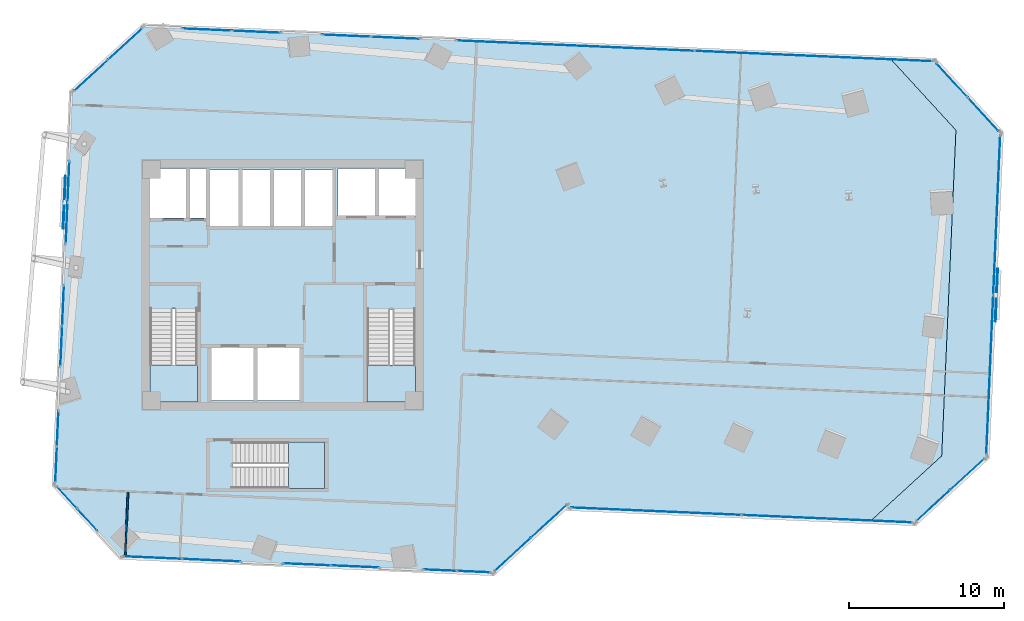
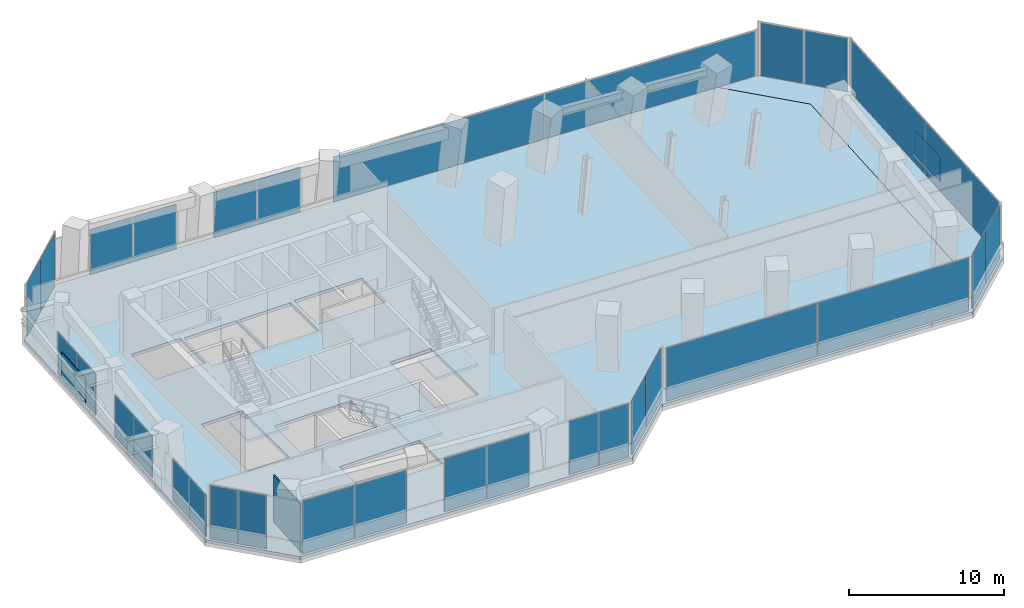
# One storey, part 21 of 26: 34 plates, 5 slabs, 1 wall, 19 elements without a shape of their own.
"""IFC4 building model written with IfcOpenShell, lengths in metres."""

from ifc_helpers import new_model, si_unit, direction, frame, frame_2d, origin, origin_2d, place, context, subcontext, project, spatial, polyline, rectangle, outline, extrude, source, transform, mapped, material, layer, layer_set, type_object, element, aggregate, save


model = new_model("IFC4")

# Units and contexts
model_context = context("Model", 3, precision=1e-05, world=origin(), true_north=direction((0.0, 1.0)))
body_context = subcontext(model_context, "Body", "Model", "MODEL_VIEW")
ifc_project = project(units=[si_unit("LENGTHUNIT", "METRE"), si_unit("AREAUNIT", "SQUARE_METRE"), si_unit("VOLUMEUNIT", "CUBIC_METRE"), si_unit("PLANEANGLEUNIT", "RADIAN"), si_unit("MASSUNIT", "GRAM", prefix="KILO")], contexts=[model_context])

# Site, building, storey
site_placement = place(None, origin())
site = spatial("IfcSite", under=ifc_project, at=site_placement, CompositionType="ELEMENT")
building_placement = place(site_placement, origin())
building = spatial("IfcBuilding", under=site, at=building_placement, Name="Torre Montelarca", CompositionType="ELEMENT")
storey_placement = place(building_placement, frame((0.0, 0.0, 42.39990234375)))
storey = spatial("IfcBuildingStorey", under=building, at=storey_placement, Name="L09", CompositionType="ELEMENT", Elevation=42.39990234375)

# Slabs
ifc_material_1 = material(Name="Concrete C40/50", Category="concrete")
ifc_layer_1 = layer(ifc_material_1, 0.239990234375, Name="Concrete C40/50", Category="concrete")
ifc_layer_set_1 = layer_set([ifc_layer_1], Name="Concrete C40/50")
slab_type_1 = type_object("IfcSlabType", Name="SL-FLR-240", PredefinedType="FLOOR", material=ifc_layer_set_1)
slab_1_placement = place(storey_placement, frame((0.0, 0.0, -0.239990234375)))
element("IfcSlab", 1, at=slab_1_placement, inside=storey, type_object=slab_type_1, Name="L09 Structural Floor Slab", PredefinedType="FLOOR", context=body_context, shape_type="SweptSolid", body=[
    extrude(outline(polyline([(31.595703125, 13.341796875), (36.287841796875, 17.641357421875), (36.283447265625, 17.54150390625), (55.764892578125, 16.69091796875), (60.456787109375, 20.990234375), (61.372802734375, 41.97021484375), (57.073486328125, 46.662353515625), (9.019287109375, 48.760498046875), (4.3271484375, 44.4609375), (3.21923828125, 19.085205078125), (7.518798828125, 14.39306640625), (31.595703125, 13.341796875)]), holes=[polyline([(20.699951171875, 18.89990234375), (14.760009765625, 18.89990234375), (14.760009765625, 21.889892578125), (20.699951171875, 21.889892578125), (20.699951171875, 18.89990234375)]), polyline([(19.10009765625, 24.550048828125), (13.39990234375, 24.550048828125), (13.39990234375, 27.949951171875), (19.10009765625, 27.949951171875), (19.10009765625, 24.550048828125)]), polyline([(23.43994140625, 24.449951171875), (23.43994140625, 30.429931640625), (26.550048828125, 30.429931640625), (26.550048828125, 24.449951171875), (23.43994140625, 24.449951171875)]), polyline([(9.449951171875, 24.449951171875), (9.449951171875, 30.4599609375), (12.5, 30.4599609375), (12.5, 24.449951171875), (9.449951171875, 24.449951171875)]), polyline([(17.25, 35.800048828125), (13.300048828125, 35.800048828125), (13.300048828125, 39.39990234375), (17.25, 39.39990234375), (17.25, 35.800048828125)]), polyline([(21.25, 35.800048828125), (17.39990234375, 35.800048828125), (17.39990234375, 39.39990234375), (21.25, 39.39990234375), (21.25, 35.800048828125)]), polyline([(13.1201171875, 36.300048828125), (9.449951171875, 36.300048828125), (9.449951171875, 39.5), (13.1201171875, 39.5), (13.1201171875, 36.300048828125)]), polyline([(26.60009765625, 36.449951171875), (21.550048828125, 36.449951171875), (21.550048828125, 39.5), (26.60009765625, 39.5), (26.60009765625, 36.449951171875)])]), origin(), (0.0, 0.0, 1.0), 0.239990234375),
])
slab_2_placement = place(storey_placement, frame((0.0, 0.0, -0.239990234375)))
element("IfcSlab", 2, at=slab_2_placement, inside=storey, type_object=slab_type_1, Name="L09 Sliding Tray Winter Garden Floor Slab E1", PredefinedType="FLOOR", context=body_context, shape_type="SweptSolid", body=[
    extrude(outline(polyline([(57.073486328125, 46.662353515625), (61.372802734375, 41.97021484375), (60.456787109375, 20.990234375), (55.764892578125, 16.69091796875), (58.761962890625, 16.56005859375), (63.4541015625, 20.859375), (64.3701171875, 41.83935546875), (60.070556640625, 46.531494140625), (57.073486328125, 46.662353515625)])), origin(), (0.0, 0.0, 1.0), 0.239990234375),
])

# Stair, slab
stair_type_1 = type_object("IfcStairType", Name="ST-CORE-ST1", PredefinedType="HALF_TURN_STAIR", material=ifc_material_1)
stair_1_placement = place(storey_placement, origin())
stair_1 = element("IfcStair", 3, at=stair_1_placement, inside=storey, type_object=stair_type_1, Name="L09 Protected Exit Stair ST1", PredefinedType="HALF_TURN_STAIR")
ifc_layer_2 = layer(ifc_material_1, 0.199951171875, Name="Concrete C40/50", Category="concrete")
ifc_layer_set_2 = layer_set([ifc_layer_2], Name="Concrete C40/50")
slab_type_2 = type_object("IfcSlabType", Name="SL-ST-LAND-ST1", PredefinedType="LANDING", material=ifc_layer_set_2)
slab_3_placement = place(storey_placement, frame((0.0, 0.0, 2.2001953125)))
slab_3 = element("IfcSlab", 4, at=slab_3_placement, type_object=slab_type_2, Name="ST1 landing 1", PredefinedType="LANDING", context=body_context, shape_type="SweptSolid", body=[
    extrude(outline(polyline([(9.449951171875, 26.860107421875), (9.449951171875, 24.449951171875), (12.5, 24.449951171875), (12.5, 26.860107421875), (9.449951171875, 26.860107421875)])), origin(), (0.0, 0.0, 1.0), 0.199951171875),
])
aggregate(stair_1, [slab_3])

stair_type_2 = type_object("IfcStairType", Name="ST-CORE-ST2", PredefinedType="HALF_TURN_STAIR", material=ifc_material_1)
stair_2_placement = place(storey_placement, origin())
stair_2 = element("IfcStair", 5, at=stair_2_placement, inside=storey, type_object=stair_type_2, Name="L09 Protected Exit Stair ST2", PredefinedType="HALF_TURN_STAIR")
ifc_layer_3 = layer(ifc_material_1, 0.199951171875, Name="Concrete C40/50", Category="concrete")
ifc_layer_set_3 = layer_set([ifc_layer_3], Name="Concrete C40/50")
slab_type_3 = type_object("IfcSlabType", Name="SL-ST-LAND-ST2", PredefinedType="LANDING", material=ifc_layer_set_3)
slab_4_placement = place(storey_placement, frame((0.0, 0.0, 2.2001953125)))
slab_4 = element("IfcSlab", 6, at=slab_4_placement, type_object=slab_type_3, Name="ST2 landing 1", PredefinedType="LANDING", context=body_context, shape_type="SweptSolid", body=[
    extrude(outline(polyline([(23.43994140625, 26.830078125), (23.43994140625, 24.449951171875), (26.550048828125, 24.449951171875), (26.550048828125, 26.830078125), (23.43994140625, 26.830078125)])), origin(), (0.0, 0.0, 1.0), 0.199951171875),
])
aggregate(stair_2, [slab_4])

stair_type_3 = type_object("IfcStairType", Name="ST-CORE-ST3", PredefinedType="HALF_TURN_STAIR", material=ifc_material_1)
stair_3_placement = place(storey_placement, origin())
stair_3 = element("IfcStair", 7, at=stair_3_placement, inside=storey, type_object=stair_type_3, Name="L09 Low-Rise Exit Stair ST3", PredefinedType="HALF_TURN_STAIR")
ifc_layer_4 = layer(ifc_material_1, 0.199951171875, Name="Concrete C40/50", Category="concrete")
ifc_layer_set_4 = layer_set([ifc_layer_4], Name="Concrete C40/50")
slab_type_4 = type_object("IfcSlabType", Name="SL-ST-LAND-ST3", PredefinedType="LANDING", material=ifc_layer_set_4)
slab_5_placement = place(storey_placement, frame((0.0, 0.0, 2.2001953125)))
slab_5 = element("IfcSlab", 8, at=slab_5_placement, type_object=slab_type_4, Name="ST3 landing 1", PredefinedType="LANDING", context=body_context, shape_type="SweptSolid", body=[
    extrude(outline(polyline([(18.360107421875, 18.89990234375), (20.699951171875, 18.89990234375), (20.699951171875, 21.889892578125), (18.360107421875, 21.889892578125), (18.360107421875, 18.89990234375)])), origin(), (0.0, 0.0, 1.0), 0.199951171875),
])
aggregate(stair_3, [slab_5])

# Curtain wall, plates
ifc_material_2 = material(Name="Insulated low-E laminated glass", Category="glass")
curtain_wall_type = type_object("IfcCurtainWallType", Name="CW-SYS-Z1", PredefinedType="USERDEFINED", material=ifc_material_2)
curtain_wall_1_placement = place(storey_placement, origin())
curtain_wall_1 = element("IfcCurtainWall", 9, at=curtain_wall_1_placement, inside=storey, type_object=curtain_wall_type, Name="L09 Curtain Wall Run CW-T3-L09-E02-B1", ObjectType="UNITISED GLAZING", PredefinedType="USERDEFINED")
ifc_layer_5 = layer(ifc_material_2, 0.028076171875, Name="Insulated low-E laminated glass", Category="glass")
ifc_layer_set_5 = layer_set([ifc_layer_5], Name="Insulated low-E laminated glass")
plate_type_1 = type_object("IfcPlateType", Name="CWP-GLZ-28", PredefinedType="CURTAIN_PANEL", material=ifc_layer_set_5)
shared_shape_1 = source(origin(), body_context, "Body", "SweptSolid", [
    extrude(rectangle(XDim=3.1025390625, YDim=0.028076171875, at=origin_2d()), origin(), (0.0, 0.0, 1.0), 4.18994140625),
])
plate_1_placement = place(storey_placement, frame((32.82177734375, 14.641845703125, 0.065185546875), z_axis=(0.0, 0.0, 1.0), x_axis=(0.737291621042, 0.675574618781, 0.0)))
plate_1 = element("IfcPlate", 10, at=plate_1_placement, type_object=plate_type_1, Name="CW panel 1.1", PredefinedType="CURTAIN_PANEL", context=body_context, shape_type="MappedRepresentation", body=[
    mapped(shared_shape_1, transform((0.0, 0.0, 0.0), scale=1.0)),
])
plate_2_placement = place(storey_placement, frame((35.1572265625, 16.78173828125, 0.065185546875), z_axis=(0.0, 0.0, 1.0), x_axis=(0.737291621042, 0.675574618781, 0.0)))
plate_2 = element("IfcPlate", 11, at=plate_2_placement, type_object=plate_type_1, Name="CW panel 2.1", PredefinedType="CURTAIN_PANEL", context=body_context, shape_type="MappedRepresentation", body=[
    mapped(shared_shape_1, transform((0.0, 0.0, 0.0), scale=1.0)),
])
aggregate(curtain_wall_1, [plate_1, plate_2])

curtain_wall_2_placement = place(storey_placement, origin())
curtain_wall_2 = element("IfcCurtainWall", 12, at=curtain_wall_2_placement, inside=storey, type_object=curtain_wall_type, Name="L09 Curtain Wall Run CW-T3-L09-E04-B1", ObjectType="UNITISED GLAZING", PredefinedType="USERDEFINED")
shared_shape_2 = source(origin(), body_context, "Body", "SweptSolid", [
    extrude(rectangle(XDim=10.948486328125, YDim=0.028076171875, at=origin_2d()), origin(), (0.0, 0.0, 1.0), 4.18994140625),
])
plate_3_placement = place(storey_placement, frame((42.06494140625, 17.419189453125, 0.065185546875), z_axis=(0.0, 0.0, 1.0), x_axis=(0.999048310418, -0.043617352644, 0.0)))
plate_3 = element("IfcPlate", 13, at=plate_3_placement, type_object=plate_type_1, Name="CW panel 1.1", PredefinedType="CURTAIN_PANEL", context=body_context, shape_type="MappedRepresentation", body=[
    mapped(shared_shape_2, transform((0.0, 0.0, 0.0), scale=1.0)),
])
plate_4_placement = place(storey_placement, frame((53.06787109375, 16.938720703125, 0.065185546875), z_axis=(0.0, 0.0, 1.0), x_axis=(0.999048310418, -0.043617352644, 0.0)))
plate_4 = element("IfcPlate", 14, at=plate_4_placement, type_object=plate_type_1, Name="CW panel 2.1", PredefinedType="CURTAIN_PANEL", context=body_context, shape_type="MappedRepresentation", body=[
    mapped(shared_shape_2, transform((0.0, 0.0, 0.0), scale=1.0)),
])
aggregate(curtain_wall_2, [plate_3, plate_4])

curtain_wall_3_placement = place(storey_placement, origin())
curtain_wall_3 = element("IfcCurtainWall", 15, at=curtain_wall_3_placement, inside=storey, type_object=curtain_wall_type, Name="L09 Curtain Wall Run CW-T3-L09-E05-B1", ObjectType="UNITISED GLAZING", PredefinedType="USERDEFINED")
shared_shape_3 = source(origin(), body_context, "Body", "SweptSolid", [
    extrude(rectangle(XDim=2.918701171875, YDim=0.028076171875, at=origin_2d()), origin(), (0.0, 0.0, 1.0), 4.18994140625),
])
plate_5_placement = place(storey_placement, frame((59.920166015625, 17.797607421875, 0.065185546875), z_axis=(0.0, 0.0, 1.0), x_axis=(0.737291747736, 0.675574480513, 0.0)))
plate_5 = element("IfcPlate", 16, at=plate_5_placement, type_object=plate_type_1, Name="CW panel 1.1", PredefinedType="CURTAIN_PANEL", context=body_context, shape_type="MappedRepresentation", body=[
    mapped(shared_shape_3, transform((0.0, 0.0, 0.0), scale=1.0)),
])
plate_6_placement = place(storey_placement, frame((62.1201171875, 19.8134765625, 0.065185546875), z_axis=(0.0, 0.0, 1.0), x_axis=(0.737291747736, 0.675574480513, 0.0)))
plate_6 = element("IfcPlate", 17, at=plate_6_placement, type_object=plate_type_1, Name="CW panel 2.1", PredefinedType="CURTAIN_PANEL", context=body_context, shape_type="MappedRepresentation", body=[
    mapped(shared_shape_3, transform((0.0, 0.0, 0.0), scale=1.0)),
])
aggregate(curtain_wall_3, [plate_5, plate_6])

curtain_wall_4_placement = place(storey_placement, origin())
curtain_wall_4 = element("IfcCurtainWall", 18, at=curtain_wall_4_placement, inside=storey, type_object=curtain_wall_type, Name="L09 Curtain Wall Run CW-T3-L09-E07-B1", ObjectType="UNITISED GLAZING", PredefinedType="USERDEFINED")
plate_7_placement = place(storey_placement, frame((63.13232421875, 42.997802734375, 0.065185546875), z_axis=(0.0, 0.0, 1.0), x_axis=(-0.675574480513, 0.737291747736, 0.0)))
plate_7 = element("IfcPlate", 19, at=plate_7_placement, type_object=plate_type_1, Name="CW panel 1.1", PredefinedType="CURTAIN_PANEL", context=body_context, shape_type="MappedRepresentation", body=[
    mapped(shared_shape_3, transform((0.0, 0.0, 0.0), scale=1.0)),
])
plate_8_placement = place(storey_placement, frame((61.11669921875, 45.197509765625, 0.065185546875), z_axis=(0.0, 0.0, 1.0), x_axis=(-0.675574480513, 0.737291747736, 0.0)))
plate_8 = element("IfcPlate", 20, at=plate_8_placement, type_object=plate_type_1, Name="CW panel 2.1", PredefinedType="CURTAIN_PANEL", context=body_context, shape_type="MappedRepresentation", body=[
    mapped(shared_shape_3, transform((0.0, 0.0, 0.0), scale=1.0)),
])
aggregate(curtain_wall_4, [plate_7, plate_8])

curtain_wall_5_placement = place(storey_placement, origin())
curtain_wall_5 = element("IfcCurtainWall", 21, at=curtain_wall_5_placement, inside=storey, type_object=curtain_wall_type, Name="L09 Curtain Wall Run CW-T3-L09-E09-B1", ObjectType="UNITISED GLAZING", PredefinedType="USERDEFINED")
plate_9_placement = place(storey_placement, frame((7.86083984375, 47.522705078125, 0.065185546875), z_axis=(0.0, 0.0, 1.0), x_axis=(-0.737283490692, -0.67558349177, 0.0)))
plate_9 = element("IfcPlate", 22, at=plate_9_placement, type_object=plate_type_1, Name="CW panel 1.1", PredefinedType="CURTAIN_PANEL", context=body_context, shape_type="MappedRepresentation", body=[
    mapped(shared_shape_3, transform((0.0, 0.0, 0.0), scale=1.0)),
])
plate_10_placement = place(storey_placement, frame((5.6611328125, 45.5068359375, 0.065185546875), z_axis=(0.0, 0.0, 1.0), x_axis=(-0.737283490692, -0.67558349177, 0.0)))
plate_10 = element("IfcPlate", 23, at=plate_10_placement, type_object=plate_type_1, Name="CW panel 2.1", PredefinedType="CURTAIN_PANEL", context=body_context, shape_type="MappedRepresentation", body=[
    mapped(shared_shape_3, transform((0.0, 0.0, 0.0), scale=1.0)),
])
aggregate(curtain_wall_5, [plate_9, plate_10])

curtain_wall_6_placement = place(storey_placement, origin())
curtain_wall_6 = element("IfcCurtainWall", 24, at=curtain_wall_6_placement, inside=storey, type_object=curtain_wall_type, Name="L09 Curtain Wall Run CW-T3-L09-E01-B1", ObjectType="UNITISED GLAZING", PredefinedType="USERDEFINED")
shared_shape_4 = source(origin(), body_context, "Body", "SweptSolid", [
    extrude(rectangle(XDim=3.731201171875, YDim=0.028076171875, at=origin_2d()), origin(), (0.0, 0.0, 1.0), 4.18994140625),
])
plate_11_placement = place(storey_placement, frame((9.618896484375, 14.431396484375, 0.065185546875), z_axis=(0.0, 0.0, 1.0), x_axis=(0.999048232094, -0.0436191466, 0.0)))
plate_11 = element("IfcPlate", 25, at=plate_11_placement, type_object=plate_type_1, Name="CW panel 1.1", PredefinedType="CURTAIN_PANEL", context=body_context, shape_type="MappedRepresentation", body=[
    mapped(shared_shape_4, transform((0.0, 0.0, 0.0), scale=1.0)),
])
plate_12_placement = place(storey_placement, frame((13.411376953125, 14.265869140625, 0.065185546875), z_axis=(0.0, 0.0, 1.0), x_axis=(0.999048232094, -0.0436191466, 0.0)))
plate_12 = element("IfcPlate", 26, at=plate_12_placement, type_object=plate_type_1, Name="CW panel 2.1", PredefinedType="CURTAIN_PANEL", context=body_context, shape_type="MappedRepresentation", body=[
    mapped(shared_shape_4, transform((0.0, 0.0, 0.0), scale=1.0)),
])
aggregate(curtain_wall_6, [plate_11, plate_12])

curtain_wall_7_placement = place(storey_placement, origin())
curtain_wall_7 = element("IfcCurtainWall", 27, at=curtain_wall_7_placement, inside=storey, type_object=curtain_wall_type, Name="L09 Curtain Wall Run CW-T3-L09-E01-B2", ObjectType="UNITISED GLAZING", PredefinedType="USERDEFINED")
shared_shape_5 = source(origin(), body_context, "Body", "SweptSolid", [
    extrude(rectangle(XDim=3.04443359375, YDim=0.028076171875, at=origin_2d()), origin(), (0.0, 0.0, 1.0), 4.18994140625),
])
plate_13_placement = place(storey_placement, frame((19.5556640625, 13.99755859375, 0.065185546875), z_axis=(0.0, 0.0, 1.0), x_axis=(0.9990481846, -0.043620234387, 0.0)))
plate_13 = element("IfcPlate", 28, at=plate_13_placement, type_object=plate_type_1, Name="CW panel 1.1", PredefinedType="CURTAIN_PANEL", context=body_context, shape_type="MappedRepresentation", body=[
    mapped(shared_shape_5, transform((0.0, 0.0, 0.0), scale=1.0)),
])
plate_14_placement = place(storey_placement, frame((22.662109375, 13.862060546875, 0.065185546875), z_axis=(0.0, 0.0, 1.0), x_axis=(0.9990481846, -0.043620234387, 0.0)))
plate_14 = element("IfcPlate", 29, at=plate_14_placement, type_object=plate_type_1, Name="CW panel 2.1", PredefinedType="CURTAIN_PANEL", context=body_context, shape_type="MappedRepresentation", body=[
    mapped(shared_shape_5, transform((0.0, 0.0, 0.0), scale=1.0)),
])
aggregate(curtain_wall_7, [plate_13, plate_14])

curtain_wall_8_placement = place(storey_placement, origin())
curtain_wall_8 = element("IfcCurtainWall", 30, at=curtain_wall_8_placement, inside=storey, type_object=curtain_wall_type, Name="L09 Curtain Wall Run CW-T3-L09-E01-B3", ObjectType="UNITISED GLAZING", PredefinedType="USERDEFINED")
shared_shape_6 = source(origin(), body_context, "Body", "SweptSolid", [
    extrude(rectangle(XDim=2.105224609375, YDim=0.028076171875, at=origin_2d()), origin(), (0.0, 0.0, 1.0), 4.18994140625),
])
plate_15_placement = place(storey_placement, frame((28.15087890625, 13.622314453125, 0.065185546875), z_axis=(0.0, 0.0, 1.0), x_axis=(0.999048949838, -0.043602704361, 0.0)))
plate_15 = element("IfcPlate", 31, at=plate_15_placement, type_object=plate_type_1, Name="CW panel 1.1", PredefinedType="CURTAIN_PANEL", context=body_context, shape_type="MappedRepresentation", body=[
    mapped(shared_shape_6, transform((0.0, 0.0, 0.0), scale=1.0)),
])
plate_16_placement = place(storey_placement, frame((30.319091796875, 13.52783203125, 0.065185546875), z_axis=(0.0, 0.0, 1.0), x_axis=(0.999048949838, -0.043602704361, 0.0)))
plate_16 = element("IfcPlate", 32, at=plate_16_placement, type_object=plate_type_1, Name="CW panel 2.1", PredefinedType="CURTAIN_PANEL", context=body_context, shape_type="MappedRepresentation", body=[
    mapped(shared_shape_6, transform((0.0, 0.0, 0.0), scale=1.0)),
])
aggregate(curtain_wall_8, [plate_15, plate_16])

curtain_wall_9_placement = place(storey_placement, origin())
curtain_wall_9 = element("IfcCurtainWall", 33, at=curtain_wall_9_placement, inside=storey, type_object=curtain_wall_type, Name="L09 Curtain Wall Run CW-T3-L09-E06-B1", ObjectType="UNITISED GLAZING", PredefinedType="USERDEFINED")
shared_shape_7 = source(origin(), body_context, "Body", "SweptSolid", [
    extrude(rectangle(XDim=10.236572265625, YDim=0.028076171875, at=origin_2d()), origin(), (0.0, 0.0, 1.0), 4.18994140625),
])
plate_17_placement = place(storey_placement, frame((63.557373046875, 26.209228515625, 0.065185546875), z_axis=(0.0, 0.0, 1.0), x_axis=(0.043617583889, 0.999048300322, 0.0)))
plate_17 = element("IfcPlate", 34, at=plate_17_placement, type_object=plate_type_1, Name="CW panel 1.1", PredefinedType="CURTAIN_PANEL", context=body_context, shape_type="MappedRepresentation", body=[
    mapped(shared_shape_7, transform((0.0, 0.0, 0.0), scale=1.0)),
])
plate_18_placement = place(storey_placement, frame((64.0068359375, 36.5009765625, 0.065185546875), z_axis=(0.0, 0.0, 1.0), x_axis=(0.043617583889, 0.999048300322, 0.0)))
plate_18 = element("IfcPlate", 35, at=plate_18_placement, type_object=plate_type_1, Name="CW panel 2.1", PredefinedType="CURTAIN_PANEL", context=body_context, shape_type="MappedRepresentation", body=[
    mapped(shared_shape_7, transform((0.0, 0.0, 0.0), scale=1.0)),
])
aggregate(curtain_wall_9, [plate_17, plate_18])

curtain_wall_10_placement = place(storey_placement, origin())
curtain_wall_10 = element("IfcCurtainWall", 36, at=curtain_wall_10_placement, inside=storey, type_object=curtain_wall_type, Name="L09 Curtain Wall Run CW-T3-L09-E08-B1", ObjectType="UNITISED GLAZING", PredefinedType="USERDEFINED")
shared_shape_8 = source(origin(), body_context, "Body", "SweptSolid", [
    extrude(rectangle(XDim=15.2900390625, YDim=0.028076171875, at=origin_2d()), origin(), (0.0, 0.0, 1.0), 3.544921875),
])
plate_19_placement = place(storey_placement, frame((52.196533203125, 46.7451171875, 0.065185546875), z_axis=(0.0, 0.0, 1.0), x_axis=(-0.999048195933, 0.043619974825, 0.0)))
plate_19 = element("IfcPlate", 37, at=plate_19_placement, type_object=plate_type_1, Name="CW panel 1.1", PredefinedType="CURTAIN_PANEL", context=body_context, shape_type="MappedRepresentation", body=[
    mapped(shared_shape_8, transform((0.0, 0.0, 0.0), scale=1.0)),
])
plate_20_placement = place(storey_placement, frame((36.856201171875, 47.414794921875, 0.065185546875), z_axis=(0.0, 0.0, 1.0), x_axis=(-0.999048195933, 0.043619974825, 0.0)))
plate_20 = element("IfcPlate", 38, at=plate_20_placement, type_object=plate_type_1, Name="CW panel 2.1", PredefinedType="CURTAIN_PANEL", context=body_context, shape_type="MappedRepresentation", body=[
    mapped(shared_shape_8, transform((0.0, 0.0, 0.0), scale=1.0)),
])
aggregate(curtain_wall_10, [plate_19, plate_20])

curtain_wall_11_placement = place(storey_placement, origin())
curtain_wall_11 = element("IfcCurtainWall", 39, at=curtain_wall_11_placement, inside=storey, type_object=curtain_wall_type, Name="L09 Curtain Wall Run CW-T3-L09-E08-B2", ObjectType="UNITISED GLAZING", PredefinedType="USERDEFINED")
shared_shape_9 = source(origin(), body_context, "Body", "SweptSolid", [
    extrude(rectangle(XDim=3.10498046875, YDim=0.028076171875, at=origin_2d()), origin(), (0.0, 0.0, 1.0), 3.544921875),
])
plate_21_placement = place(storey_placement, frame((25.27978515625, 47.92041015625, 0.065185546875), z_axis=(0.0, 0.0, 1.0), x_axis=(-0.999048128871, 0.043621510734, 0.0)))
plate_21 = element("IfcPlate", 40, at=plate_21_placement, type_object=plate_type_1, Name="CW panel 1.1", PredefinedType="CURTAIN_PANEL", context=body_context, shape_type="MappedRepresentation", body=[
    mapped(shared_shape_9, transform((0.0, 0.0, 0.0), scale=1.0)),
])
plate_22_placement = place(storey_placement, frame((22.11279296875, 48.05859375, 0.065185546875), z_axis=(0.0, 0.0, 1.0), x_axis=(-0.999048128871, 0.043621510734, 0.0)))
plate_22 = element("IfcPlate", 41, at=plate_22_placement, type_object=plate_type_1, Name="CW panel 2.1", PredefinedType="CURTAIN_PANEL", context=body_context, shape_type="MappedRepresentation", body=[
    mapped(shared_shape_9, transform((0.0, 0.0, 0.0), scale=1.0)),
])
aggregate(curtain_wall_11, [plate_21, plate_22])

curtain_wall_12_placement = place(storey_placement, origin())
curtain_wall_12 = element("IfcCurtainWall", 42, at=curtain_wall_12_placement, inside=storey, type_object=curtain_wall_type, Name="L09 Curtain Wall Run CW-T3-L09-E08-B3", ObjectType="UNITISED GLAZING", PredefinedType="USERDEFINED")
shared_shape_10 = source(origin(), body_context, "Body", "SweptSolid", [
    extrude(rectangle(XDim=3.101806640625, YDim=0.028076171875, at=origin_2d()), origin(), (0.0, 0.0, 1.0), 3.544921875),
])
plate_23_placement = place(storey_placement, frame((16.2919921875, 48.312744140625, 0.065185546875), z_axis=(0.0, 0.0, 1.0), x_axis=(-0.999048239136, 0.04361898531, 0.0)))
plate_23 = element("IfcPlate", 43, at=plate_23_placement, type_object=plate_type_1, Name="CW panel 1.1", PredefinedType="CURTAIN_PANEL", context=body_context, shape_type="MappedRepresentation", body=[
    mapped(shared_shape_10, transform((0.0, 0.0, 0.0), scale=1.0)),
])
plate_24_placement = place(storey_placement, frame((13.128173828125, 48.450927734375, 0.065185546875), z_axis=(0.0, 0.0, 1.0), x_axis=(-0.999048239136, 0.04361898531, 0.0)))
plate_24 = element("IfcPlate", 44, at=plate_24_placement, type_object=plate_type_1, Name="CW panel 2.1", PredefinedType="CURTAIN_PANEL", context=body_context, shape_type="MappedRepresentation", body=[
    mapped(shared_shape_10, transform((0.0, 0.0, 0.0), scale=1.0)),
])
aggregate(curtain_wall_12, [plate_23, plate_24])

curtain_wall_13_placement = place(storey_placement, origin())
curtain_wall_13 = element("IfcCurtainWall", 45, at=curtain_wall_13_placement, inside=storey, type_object=curtain_wall_type, Name="L09 Curtain Wall Run CW-T3-L09-E10-B1", ObjectType="UNITISED GLAZING", PredefinedType="USERDEFINED")
shared_shape_11 = source(origin(), body_context, "Body", "SweptSolid", [
    extrude(rectangle(XDim=2.587890625, YDim=0.028076171875, at=origin_2d()), origin(), (0.0, 0.0, 1.0), 3.2451171875),
])
plate_25_placement = place(storey_placement, frame((4.203125, 38.637451171875, 0.06494140625), z_axis=(0.0, 0.0, 1.0), x_axis=(-0.043606907162, -0.999048766401, 0.0)))
plate_25 = element("IfcPlate", 46, at=plate_25_placement, type_object=plate_type_1, Name="CW panel 1.1", PredefinedType="CURTAIN_PANEL", context=body_context, shape_type="MappedRepresentation", body=[
    mapped(shared_shape_11, transform((0.0, 0.0, 0.0), scale=1.0)),
])
plate_26_placement = place(storey_placement, frame((4.08740234375, 35.9873046875, 0.06494140625), z_axis=(0.0, 0.0, 1.0), x_axis=(-0.043606907162, -0.999048766401, 0.0)))
plate_26 = element("IfcPlate", 47, at=plate_26_placement, type_object=plate_type_1, Name="CW panel 2.1", PredefinedType="CURTAIN_PANEL", context=body_context, shape_type="MappedRepresentation", body=[
    mapped(shared_shape_11, transform((0.0, 0.0, 0.0), scale=1.0)),
])
aggregate(curtain_wall_13, [plate_25, plate_26])

curtain_wall_14_placement = place(storey_placement, origin())
curtain_wall_14 = element("IfcCurtainWall", 48, at=curtain_wall_14_placement, inside=storey, type_object=curtain_wall_type, Name="L09 Curtain Wall Run CW-T3-L09-E10-B2", ObjectType="UNITISED GLAZING", PredefinedType="USERDEFINED")
shared_shape_12 = source(origin(), body_context, "Body", "SweptSolid", [
    extrude(rectangle(XDim=2.547607421875, YDim=0.028076171875, at=origin_2d()), origin(), (0.0, 0.0, 1.0), 3.2451171875),
])
plate_27_placement = place(storey_placement, frame((3.85498046875, 30.667236328125, 0.06494140625), z_axis=(0.0, 0.0, 1.0), x_axis=(-0.04362918275, -0.999047793858, 0.0)))
plate_27 = element("IfcPlate", 49, at=plate_27_placement, type_object=plate_type_1, Name="CW panel 1.1", PredefinedType="CURTAIN_PANEL", context=body_context, shape_type="MappedRepresentation", body=[
    mapped(shared_shape_12, transform((0.0, 0.0, 0.0), scale=1.0)),
])
plate_28_placement = place(storey_placement, frame((3.7412109375, 28.05712890625, 0.06494140625), z_axis=(0.0, 0.0, 1.0), x_axis=(-0.04362918275, -0.999047793858, 0.0)))
plate_28 = element("IfcPlate", 50, at=plate_28_placement, type_object=plate_type_1, Name="CW panel 2.1", PredefinedType="CURTAIN_PANEL", context=body_context, shape_type="MappedRepresentation", body=[
    mapped(shared_shape_12, transform((0.0, 0.0, 0.0), scale=1.0)),
])
aggregate(curtain_wall_14, [plate_27, plate_28])

curtain_wall_15_placement = place(storey_placement, origin())
curtain_wall_15 = element("IfcCurtainWall", 51, at=curtain_wall_15_placement, inside=storey, type_object=curtain_wall_type, Name="L09 Curtain Wall Run CW-T3-L09-E10-B3", ObjectType="UNITISED GLAZING", PredefinedType="USERDEFINED")
shared_shape_13 = source(origin(), body_context, "Body", "SweptSolid", [
    extrude(rectangle(XDim=2.251953125, YDim=0.028076171875, at=origin_2d()), origin(), (0.0, 0.0, 1.0), 3.2451171875),
])
plate_29_placement = place(storey_placement, frame((3.50927734375, 22.74951171875, 0.06494140625), z_axis=(0.0, 0.0, 1.0), x_axis=(-0.043608086929, -0.999048714906, 0.0)))
plate_29 = element("IfcPlate", 52, at=plate_29_placement, type_object=plate_type_1, Name="CW panel 1.1", PredefinedType="CURTAIN_PANEL", context=body_context, shape_type="MappedRepresentation", body=[
    mapped(shared_shape_13, transform((0.0, 0.0, 0.0), scale=1.0)),
])
plate_30_placement = place(storey_placement, frame((3.408447265625, 20.434814453125, 0.06494140625), z_axis=(0.0, 0.0, 1.0), x_axis=(-0.043608086929, -0.999048714906, 0.0)))
plate_30 = element("IfcPlate", 53, at=plate_30_placement, type_object=plate_type_1, Name="CW panel 2.1", PredefinedType="CURTAIN_PANEL", context=body_context, shape_type="MappedRepresentation", body=[
    mapped(shared_shape_13, transform((0.0, 0.0, 0.0), scale=1.0)),
])
aggregate(curtain_wall_15, [plate_29, plate_30])

curtain_wall_16_placement = place(storey_placement, origin())
curtain_wall_16 = element("IfcCurtainWall", 54, at=curtain_wall_16_placement, inside=storey, type_object=curtain_wall_type, Name="L09 Curtain Wall Run CW-T3-L09-E11-B1", ObjectType="UNITISED GLAZING", PredefinedType="USERDEFINED")
shared_shape_14 = source(origin(), body_context, "Body", "SweptSolid", [
    extrude(rectangle(XDim=1.870849609375, YDim=0.028076171875, at=origin_2d()), origin(), (0.0, 0.0, 1.0), 4.18994140625),
])
plate_31_placement = place(storey_placement, frame((4.10302734375, 18.31298828125, 0.065185546875), z_axis=(0.0, 0.0, 1.0), x_axis=(0.675583133499, -0.737283818982, 0.0)))
plate_31 = element("IfcPlate", 55, at=plate_31_placement, type_object=plate_type_1, Name="CW panel 1.1", PredefinedType="CURTAIN_PANEL", context=body_context, shape_type="MappedRepresentation", body=[
    mapped(shared_shape_14, transform((0.0, 0.0, 0.0), scale=1.0)),
])
plate_32_placement = place(storey_placement, frame((5.410888671875, 16.8857421875, 0.065185546875), z_axis=(0.0, 0.0, 1.0), x_axis=(0.675583133499, -0.737283818982, 0.0)))
plate_32 = element("IfcPlate", 56, at=plate_32_placement, type_object=plate_type_1, Name="CW panel 2.1", PredefinedType="CURTAIN_PANEL", context=body_context, shape_type="MappedRepresentation", body=[
    mapped(shared_shape_14, transform((0.0, 0.0, 0.0), scale=1.0)),
])
aggregate(curtain_wall_16, [plate_31, plate_32])

# Plates
ifc_material_3 = material(Name="Architectural perforated terracotta ceramic", Category="masonry")
ifc_layer_6 = layer(ifc_material_3, 0.074951171875, Name="Architectural perforated terracotta ceramic", Category="masonry")
ifc_layer_set_6 = layer_set([ifc_layer_6], Name="Architectural perforated terracotta ceramic")
plate_type_2 = type_object("IfcPlateType", Name="SCR-CER-75", PredefinedType="USERDEFINED", material=ifc_layer_set_6)
shared_shape_15 = source(origin(), body_context, "Body", "SweptSolid", [
    extrude(rectangle(XDim=3.39990234375, YDim=0.06005859375, at=origin_2d()), origin(), (0.0, 0.0, 1.0), 1.89990234375),
])
for number, where, z_axis, x_axis, name in (
    (57, (63.991943359375, 31.345947265625, 0.500244140625), (0.0, 0.0, 1.0), (0.043619387365, 0.999048221582, 0.0), "L09 Perforated Ceramic Brise-Soleil Screen E6-1"),
    (58, (3.935302734375, 37.321533203125, 0.500244140625), (0.0, 0.0, 1.0), (-0.043617643697, -0.999048297711, 0.0), "L09 Perforated Ceramic Brise-Soleil Screen E10-1"),
):
    element("IfcPlate", number, at=place(storey_placement, frame(where, z_axis=z_axis, x_axis=x_axis)), inside=storey, type_object=plate_type_2, Name=name, ObjectType="SOLAR SCREEN", PredefinedType="USERDEFINED", context=body_context, shape_type="MappedRepresentation", body=[
        mapped(shared_shape_15, transform((0.0, 0.0, 0.0), scale=1.0)),
    ])

# Wall
ifc_material_4 = material(Name="Acoustic laminated glass partition", Category="glass")
ifc_layer_7 = layer(ifc_material_4, 0.10009765625, Name="Acoustic laminated glass partition", Category="glass")
ifc_layer_set_7 = layer_set([ifc_layer_7], Name="Acoustic laminated glass partition")
wall_type = type_object("IfcWallType", Name="PW-GLAZ-100", PredefinedType="PARTITIONING", material=ifc_layer_set_7)
wall_placement = place(storey_placement, frame((7.856201171875, 14.55859375, 0.0), z_axis=(0.0, 0.0, 1.0), x_axis=(0.043649126443, 0.999046922702, 0.0)))
element("IfcWall", 59, at=wall_placement, inside=storey, type_object=wall_type, Name="L09 Interior Partition W-L09-WCD", PredefinedType="PARTITIONING", context=body_context, shape_type="SweptSolid", body=[
    extrude(rectangle(XDim=4.099853515625, YDim=0.10009765625, at=frame_2d((2.0498046875, 0.0))), origin(), (0.0, 0.0, 1.0), 3.695068359375),
])

save(model, "model.ifc")
